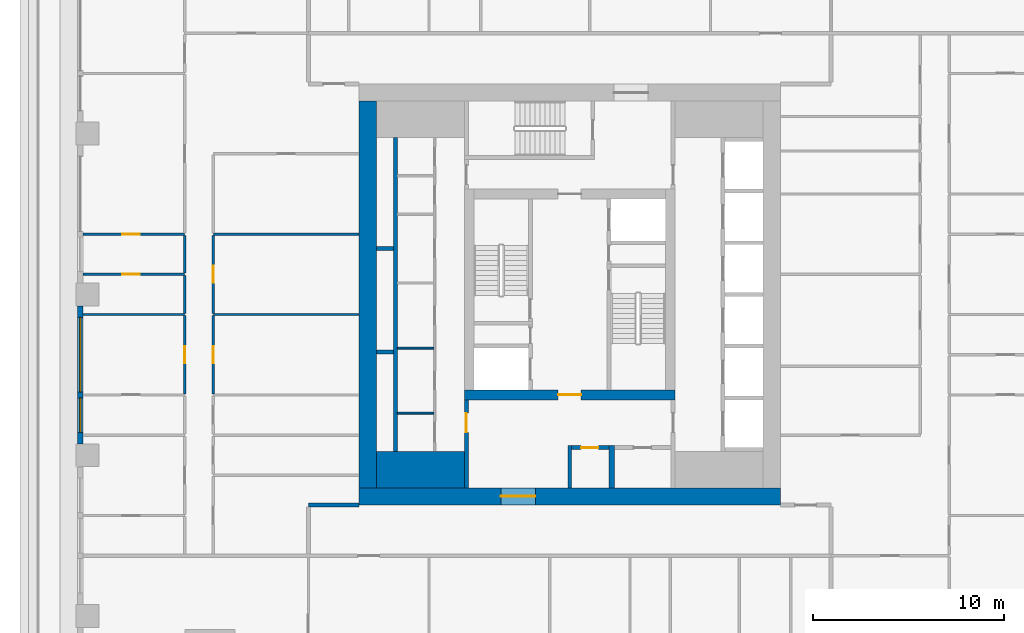
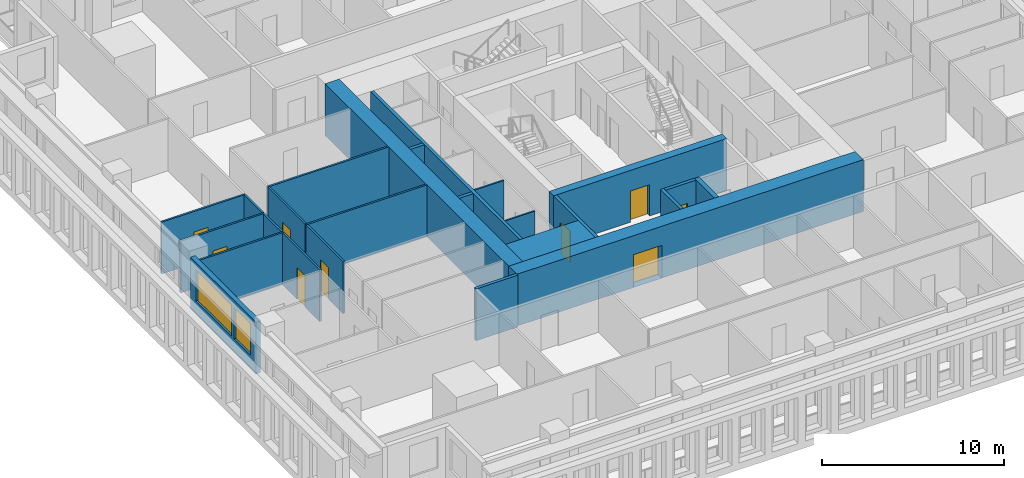
# One storey, part 3 of 16: 25 walls, 9 doors, 2 windows, 11 openings.
"""IFC4 building model written with IfcOpenShell, lengths in metres."""

import ifcopenshell
import ifcopenshell.guid

model = None  # the IFC model being written
_history = None  # IfcOwnerHistory: only IFC2X3 demands one
_inside = {}  # id of a spatial element -> (the spatial element, [elements in it])
_under = {}  # id of a project, library or spatial element -> (it, [spatial elements below it])
_declared = {}  # id of a project -> (the project, [libraries it declares])
_typed = {}  # id of a type object -> (the type object, [elements of that type])
_made_of = {}  # id of a material, layer set ... -> (it, [elements and type objects made of it])


def new_model(schema):
    """Start an empty IFC model of exactly this schema.

    Asked for "IFC4X3", IfcOpenShell would pick the latest addendum, in which some entities
    have other attributes; the version numbers below select the first issue.
    IFC2X3 requires an IfcOwnerHistory on every rooted entity: one is made here for all.
    """
    global model, _history
    if schema == "IFC4X3":
        model = ifcopenshell.file(schema_version=(4, 3, 0, 0))
    else:
        model = ifcopenshell.file(schema=schema)
    _inside.clear()
    _under.clear()
    _declared.clear()
    _typed.clear()
    _made_of.clear()
    _history = None
    if model.schema == "IFC2X3":
        org = make("IfcOrganization", Name="unknown")
        user = make(
            "IfcPersonAndOrganization",
            ThePerson=make("IfcPerson", FamilyName="unknown"),
            TheOrganization=org,
        )
        app = make(
            "IfcApplication",
            ApplicationDeveloper=org,
            Version="unknown",
            ApplicationFullName="unknown",
            ApplicationIdentifier="unknown",
        )
        _history = make(
            "IfcOwnerHistory",
            OwningUser=user,
            OwningApplication=app,
            ChangeAction="ADDED",
            CreationDate=0,
        )
    return model


def make(cls, **values):
    """One entity of the class cls with the attributes given. An attribute that is None is left unset."""
    return model.create_entity(
        cls, **{name: value for name, value in values.items() if value is not None}
    )


def rooted(cls, **values):
    """An entity with a GlobalId (a new one), such as an element, a storey or a relation."""
    return make(cls, GlobalId=ifcopenshell.guid.new(), OwnerHistory=_history, **values)


def si_unit(unit_type, name, prefix=None):
    """IfcSIUnit, for example si_unit("LENGTHUNIT", "METRE", prefix="MILLI")."""
    return make("IfcSIUnit", UnitType=unit_type, Prefix=prefix, Name=name)


def assignment(units):
    """IfcUnitAssignment: the units of a project."""
    return None if units is None else make("IfcUnitAssignment", Units=units)


def point(xyz):
    """IfcCartesianPoint."""
    return None if xyz is None else make("IfcCartesianPoint", Coordinates=xyz)


def direction(xyz):
    """IfcDirection."""
    return None if xyz is None else make("IfcDirection", DirectionRatios=xyz)


def frame(location, z_axis=None, x_axis=None):
    """IfcAxis2Placement3D, a coordinate frame: its origin and axes. An axis left out is left unset."""
    return make(
        "IfcAxis2Placement3D",
        Location=point(location),
        Axis=direction(z_axis),
        RefDirection=direction(x_axis),
    )


def frame_2d(location, x_axis=None):
    """IfcAxis2Placement2D, a coordinate frame in the plane: its origin and x axis."""
    return make(
        "IfcAxis2Placement2D", Location=point(location), RefDirection=direction(x_axis)
    )


def origin():
    """The frame at (0, 0, 0) with its axes left unset."""
    return frame((0.0, 0.0, 0.0))


def place(relative_to, where):
    """IfcLocalPlacement: puts the frame where relative to a parent placement (None: the world)."""
    return make(
        "IfcLocalPlacement", PlacementRelTo=relative_to, RelativePlacement=where
    )


def context(
    kind, dimensions, precision=None, world=None, true_north=None, identifier=None
):
    """IfcGeometricRepresentationContext, for example the 3D "Model" context."""
    return make(
        "IfcGeometricRepresentationContext",
        ContextIdentifier=identifier,
        ContextType=kind,
        CoordinateSpaceDimension=dimensions,
        Precision=precision,
        WorldCoordinateSystem=world,
        TrueNorth=true_north,
    )


def subcontext(parent, identifier, kind, view, scale=None):
    """IfcGeometricRepresentationSubContext, for example "Body" below "Model"."""
    return make(
        "IfcGeometricRepresentationSubContext",
        ContextIdentifier=identifier,
        ContextType=kind,
        ParentContext=parent,
        TargetScale=scale,
        TargetView=view,
    )


def project(units=None, contexts=None):
    """IfcProject with its units and contexts."""
    return rooted(
        "IfcProject",
        Name="project",
        RepresentationContexts=contexts,
        UnitsInContext=assignment(units),
    )


def spatial(cls, under=None, at=None, **own):
    """A site, building, storey or space (cls), placed at a placement, below another one or the project."""
    s = rooted(cls, ObjectPlacement=at, **own)
    if under is not None:
        _under.setdefault(under.id(), (under, []))[1].append(s)
    return s


def profile(cls, at=None, kind="AREA", **sizes):
    """A parametric profile (cls). Its sizes go by their IFC names, for example OverallWidth=200.0."""
    return make(cls, ProfileType=kind, Position=at, **sizes)


def rectangle(**sizes):
    """IfcRectangleProfileDef."""
    return profile("IfcRectangleProfileDef", **sizes)


def extrude(swept, where, along, depth):
    """IfcExtrudedAreaSolid: the profile swept, set in the frame where, extruded along a direction by depth."""
    return make(
        "IfcExtrudedAreaSolid",
        SweptArea=swept,
        Position=where,
        ExtrudedDirection=direction(along),
        Depth=depth,
    )


def shape(context_of_items, identifier, shape_type, items):
    """IfcShapeRepresentation: the items that make up one representation, for example the "Body"."""
    return make(
        "IfcShapeRepresentation",
        ContextOfItems=context_of_items,
        RepresentationIdentifier=identifier,
        RepresentationType=shape_type,
        Items=items,
    )


def material(Name=None, Category=None):
    """IfcMaterial."""
    return make("IfcMaterial", Name=Name, Category=Category)


def layer(
    of_material, thickness, ventilated=None, Name=None, Category=None, Priority=None
):
    """IfcMaterialLayer: one layer of a wall or slab, of a material (None: an air gap)."""
    return make(
        "IfcMaterialLayer",
        Material=of_material,
        LayerThickness=thickness,
        IsVentilated=ventilated,
        Name=Name,
        Category=Category,
        Priority=Priority,
    )


def layer_set(layers, Name=None):
    """IfcMaterialLayerSet."""
    return make("IfcMaterialLayerSet", MaterialLayers=layers, LayerSetName=Name)


def made_of(thing, what):
    """Note that an element or type object is made of a material, layer set ...; save() writes the relation."""
    if what is not None:
        _made_of.setdefault(what.id(), (what, []))[1].append(thing)
    return thing


def type_object(cls, material=None, **own):
    """A type object (cls), such as IfcWallType, which elements share."""
    return made_of(rooted(cls, **own), material)


def element(
    cls,
    number,
    at=None,
    inside=None,
    cuts=None,
    type_object=None,
    material=None,
    context=None,
    identifier="Body",
    shape_type=None,
    held_by="IfcProductDefinitionShape",
    body=None,
    shapes=None,
    **own,
):
    """One element of the class cls, such as IfcWall. Its Tag is "e" and its number.

    at: its placement. inside: the storey or other place that contains it. cuts: it is an
    opening in that element (IfcRelVoidsElement). A single representation is given by context,
    identifier, shape_type and body (its items); several are given by shapes. held_by: the class
    of the entity that holds the representations. save() writes the other relations.
    """
    e = rooted(cls, Tag="e%d" % number, ObjectPlacement=at, **own)
    if body is not None:
        shapes = [shape(context, identifier, shape_type, body)]
    if shapes is not None:
        e.Representation = make(held_by, Representations=shapes)
    if inside is not None:
        _inside.setdefault(inside.id(), (inside, []))[1].append(e)
    if cuts is not None:
        rooted(
            "IfcRelVoidsElement", RelatingBuildingElement=cuts, RelatedOpeningElement=e
        )
    if type_object is not None:
        _typed.setdefault(type_object.id(), (type_object, []))[1].append(e)
    return made_of(e, material)


def fill(opening, filler):
    """IfcRelFillsElement: the door or window that sits in an opening."""
    return rooted(
        "IfcRelFillsElement",
        RelatingOpeningElement=opening,
        RelatedBuildingElement=filler,
    )


def aggregate(whole, parts):
    """IfcRelAggregates: a whole, such as a stair, and the parts it consists of."""
    return rooted("IfcRelAggregates", RelatingObject=whole, RelatedObjects=parts)


def save(model, path):
    """Write the relations noted so far, then the file.

    IfcRelAggregates (storeys below a building ...), IfcRelContainedInSpatialStructure (elements
    in a storey), IfcRelDefinesByType, IfcRelAssociatesMaterial and IfcRelDeclares: one each for
    every whole, place, type object, material and project.
    """
    for whole, parts in _under.values():
        aggregate(whole, parts)
    for where, things in _inside.values():
        rooted(
            "IfcRelContainedInSpatialStructure",
            RelatedElements=things,
            RelatingStructure=where,
        )
    for kind, things in _typed.values():
        rooted("IfcRelDefinesByType", RelatedObjects=things, RelatingType=kind)
    for what, things in _made_of.values():
        rooted("IfcRelAssociatesMaterial", RelatedObjects=things, RelatingMaterial=what)
    for by, libraries in _declared.values():
        rooted("IfcRelDeclares", RelatingContext=by, RelatedDefinitions=libraries)
    model.write(path)


model = new_model("IFC4")

# Units and contexts
model_context = context("Model", 3, precision=1e-05, world=origin(), true_north=direction((0.0, 1.0)))
body_context = subcontext(model_context, "Body", "Model", "MODEL_VIEW")
ifc_project = project(units=[si_unit("LENGTHUNIT", "METRE"), si_unit("AREAUNIT", "SQUARE_METRE"), si_unit("VOLUMEUNIT", "CUBIC_METRE"), si_unit("PLANEANGLEUNIT", "RADIAN"), si_unit("MASSUNIT", "GRAM", prefix="KILO")], contexts=[model_context])

# Site, building, storey
site_placement = place(None, origin())
site = spatial("IfcSite", under=ifc_project, at=site_placement, CompositionType="ELEMENT")
building_placement = place(site_placement, origin())
building = spatial("IfcBuilding", under=site, at=building_placement, Name="Khepri Terraces", CompositionType="ELEMENT")
storey_placement = place(building_placement, frame((0.0, 0.0, 153.300048828125)))
storey = spatial("IfcBuildingStorey", under=building, at=storey_placement, Name="L36", CompositionType="ELEMENT", Elevation=153.300048828125)

# Walls
ifc_material_1 = material(Name="Concrete C60/75", Category="concrete")
ifc_layer_1 = layer(ifc_material_1, 1.89990234375, Name="Concrete C60/75", Category="concrete")
ifc_layer_set_1 = layer_set([ifc_layer_1], Name="Concrete C60/75")
wall_type_1 = type_object("IfcWallType", Name="Core wall 1900 C60/75", PredefinedType="SHEAR", material=ifc_layer_set_1)
wall_1_placement = place(storey_placement, frame((-10.10009765625, -9.14990234375, 0.0), z_axis=(0.0, 0.0, 1.0), x_axis=(1.0, 0.0, 0.0)))
element("IfcWall", 1, at=wall_1_placement, inside=storey, type_object=wall_type_1, Name="Core wall PR01 L36", PredefinedType="SHEAR", context=body_context, shape_type="SweptSolid", body=[
    extrude(rectangle(XDim=4.60009765625, YDim=1.89990234375, at=frame_2d((2.300048828125, 0.0))), origin(), (0.0, 0.0, 1.0), 3.47998046875),
])
ifc_layer_2 = layer(ifc_material_1, 0.199951171875, Name="Concrete C60/75", Category="concrete")
ifc_layer_set_2 = layer_set([ifc_layer_2], Name="Concrete C60/75")
wall_type_2 = type_object("IfcWallType", Name="Core wall 200 C60/75", PredefinedType="SHEAR", material=ifc_layer_set_2)
wall_2_placement = place(storey_placement, frame((-9.10009765625, -8.199951171875, 0.0), z_axis=(0.0, 0.0, 1.0), x_axis=(0.0, 1.0, 0.0)))
element("IfcWall", 2, at=wall_2_placement, inside=storey, type_object=wall_type_2, Name="Core wall SH01 L36", PredefinedType="SHEAR", context=body_context, shape_type="SweptSolid", body=[
    extrude(rectangle(XDim=16.39990234375, YDim=0.199951171875, at=frame_2d((8.199951171875, 0.0))), origin(), (0.0, 0.0, 1.0), 3.47998046875),
])
for number, where, z_axis, x_axis, name in (
    (3, (-10.10009765625, -3.0, 0.0), (0.0, 0.0, 1.0), (1.0, 0.0, 0.0), "Core wall SH06 L36"),
    (4, (-10.10009765625, 2.39990234375, 0.0), (0.0, 0.0, 1.0), (1.0, 0.0, 0.0), "Core wall SH11 L36"),
):
    element("IfcWall", number, at=place(storey_placement, frame(where, z_axis=z_axis, x_axis=x_axis)), inside=storey, type_object=wall_type_2, Name=name, PredefinedType="SHEAR", context=body_context, shape_type="SweptSolid", body=[
        extrude(rectangle(XDim=0.900146484375, YDim=0.199951171875, at=frame_2d((0.4501953125, 0.0))), origin(), (0.0, 0.0, 1.0), 3.47998046875),
    ])

# Wall, opening, door
ifc_layer_3 = layer(ifc_material_1, 0.5, Name="Concrete C60/75", Category="concrete")
ifc_layer_set_3 = layer_set([ifc_layer_3], Name="Concrete C60/75")
wall_type_3 = type_object("IfcWallType", Name="Core wall 500 C60/75", PredefinedType="SHEAR", material=ifc_layer_set_3)
wall_3_placement = place(storey_placement, frame((-5.5, -5.25, 0.0), z_axis=(0.0, 0.0, 1.0), x_axis=(1.0, 0.0, 0.0)))
wall_3 = element("IfcWall", 5, at=wall_3_placement, inside=storey, type_object=wall_type_3, Name="Core wall BX01 L36", PredefinedType="SHEAR", context=body_context, shape_type="SweptSolid", body=[
    extrude(rectangle(XDim=11.0, YDim=0.5, at=frame_2d((5.5, 0.0))), origin(), (0.0, 0.0, 1.0), 3.47998046875),
])
opening_1_placement = place(wall_3_placement, frame((4.89990234375, 0.0, 0.0)))
opening_1 = element("IfcOpeningElement", 6, at=opening_1_placement, cuts=wall_3, Name="Opening L36-C14", PredefinedType="OPENING", context=body_context, shape_type="SweptSolid", body=[
    extrude(rectangle(XDim=1.199951171875, YDim=2.10009765625, at=frame_2d((0.60009765625, 1.050048828125))), frame((0.0, 0.260009765625, 0.0), z_axis=(0.0, -1.0, 0.0), x_axis=(1.0, 0.0, 0.0)), (0.0, 0.0, 1.0), 0.52001953125),
])
ifc_material_2 = material(Name="Painted steel", Category="steel")
door_type_1 = type_object("IfcDoorType", Name="DR-CORE-FF-LOBBY-1200", OperationType="NOTDEFINED", PredefinedType="DOOR", material=ifc_material_2)
door_1_placement = place(opening_1_placement, origin())
door_1 = element("IfcDoor", 7, at=door_1_placement, inside=storey, type_object=door_type_1, Name="Firefighting lobby door L36-C14", OperationType="SINGLE_SWING_RIGHT", OverallHeight=2.10009765625, OverallWidth=1.199951171875, PredefinedType="DOOR", context=body_context, shape_type="SweptSolid", body=[
    extrude(rectangle(XDim=1.199951171875, YDim=2.10009765625, at=frame_2d((0.60009765625, 1.050048828125))), frame((0.0, 0.02490234375, 0.0), z_axis=(0.0, -1.0, 0.0), x_axis=(1.0, 0.0, 0.0)), (0.0, 0.0, 1.0), 0.050048828125),
])
fill(opening_1, door_1)

ifc_layer_4 = layer(ifc_material_1, 0.89990234375, Name="Concrete C60/75", Category="concrete")
ifc_layer_set_4 = layer_set([ifc_layer_4], Name="Concrete C60/75")
wall_type_4 = type_object("IfcWallType", Name="Core wall 900 C60/75", PredefinedType="SHEAR", material=ifc_layer_set_4)
wall_4_placement = place(storey_placement, frame((-11.0, -10.550048828125, 0.0), z_axis=(0.0, 0.0, 1.0), x_axis=(1.0, 0.0, 0.0)))
wall_4 = element("IfcWall", 8, at=wall_4_placement, inside=storey, type_object=wall_type_4, Name="Core wall OW-S L36", PredefinedType="SHEAR", context=body_context, shape_type="SweptSolid", body=[
    extrude(rectangle(XDim=22.0, YDim=0.89990234375, at=frame_2d((11.0, 0.0))), origin(), (0.0, 0.0, 1.0), 3.47998046875),
])
opening_2_placement = place(wall_4_placement, frame((7.39990234375, 0.0, 0.0)))
opening_2 = element("IfcOpeningElement", 9, at=opening_2_placement, cuts=wall_4, Name="Opening L36-C21", PredefinedType="OPENING", context=body_context, shape_type="SweptSolid", body=[
    extrude(rectangle(XDim=1.800048828125, YDim=2.199951171875, at=frame_2d((0.89990234375, 1.10009765625))), frame((0.0, 0.4599609375, 0.0), z_axis=(0.0, -1.0, 0.0), x_axis=(1.0, 0.0, 0.0)), (0.0, 0.0, 1.0), 0.919921875),
])
door_type_2 = type_object("IfcDoorType", Name="DR-CORE-ENTRANCE-1800", OperationType="NOTDEFINED", PredefinedType="DOOR", material=ifc_material_2)
door_2_placement = place(opening_2_placement, frame((1.800048828125, 0.0, 0.0), z_axis=(0.0, 0.0, 1.0), x_axis=(-1.0, 0.0, 0.0)))
door_2 = element("IfcDoor", 10, at=door_2_placement, inside=storey, type_object=door_type_2, Name="Core entrance door pair L36-C21", OperationType="DOUBLE_DOOR_SINGLE_SWING", OverallHeight=2.199951171875, OverallWidth=1.800048828125, PredefinedType="DOOR", context=body_context, shape_type="SweptSolid", body=[
    extrude(rectangle(XDim=1.800048828125, YDim=2.199951171875, at=frame_2d((0.89990234375, 1.10009765625))), frame((0.0, 0.02490234375, 0.0), z_axis=(0.0, -1.0, 0.0), x_axis=(1.0, 0.0, 0.0)), (0.0, 0.0, 1.0), 0.050048828125),
])
fill(opening_2, door_2)

# Walls
wall_5_placement = place(storey_placement, frame((-10.550048828125, -10.10009765625, 0.0), z_axis=(0.0, 0.0, 1.0), x_axis=(0.0, 1.0, 0.0)))
element("IfcWall", 11, at=wall_5_placement, inside=storey, type_object=wall_type_4, Name="Core wall OW-W L36", PredefinedType="SHEAR", context=body_context, shape_type="SweptSolid", body=[
    extrude(rectangle(XDim=20.2001953125, YDim=0.89990234375, at=frame_2d((10.10009765625, 0.0))), origin(), (0.0, 0.0, 1.0), 3.47998046875),
])
ifc_material_3 = material(Name="Fire-rated gypsum board partition")
ifc_layer_5 = layer(ifc_material_3, 0.10009765625, Name="Fire-rated gypsum board partition")
ifc_layer_set_5 = layer_set([ifc_layer_5], Name="Fire-rated gypsum board partition")
wall_type_5 = type_object("IfcWallType", Name="WL-CORE-PART-100", PredefinedType="PARTITIONING", material=ifc_layer_set_5)
for number, where, z_axis, x_axis, name in (
    (12, (-9.0, -6.199951171875, 0.0), (0.0, 0.0, 1.0), (1.0, 0.0, 0.0), "Core partition PT08 L36"),
    (13, (-9.0, -2.800048828125, 0.0), (0.0, 0.0, 1.0), (1.0, 0.0, 0.0), "Core partition PT09 L36"),
):
    element("IfcWall", number, at=place(storey_placement, frame(where, z_axis=z_axis, x_axis=x_axis)), inside=storey, type_object=wall_type_5, Name=name, PredefinedType="PARTITIONING", context=body_context, shape_type="SweptSolid", body=[
        extrude(rectangle(XDim=1.89990234375, YDim=0.10009765625, at=frame_2d((0.949951171875, 0.0))), origin(), (0.0, 0.0, 1.0), 3.47998046875),
    ])

# Wall, opening, door
ifc_layer_6 = layer(ifc_material_3, 0.199951171875, Name="Fire-rated gypsum board partition")
ifc_layer_set_6 = layer_set([ifc_layer_6], Name="Fire-rated gypsum board partition")
wall_type_6 = type_object("IfcWallType", Name="WL-CORE-PART-200", PredefinedType="PARTITIONING", material=ifc_layer_set_6)
wall_6_placement = place(storey_placement, frame((-5.39990234375, -10.10009765625, 0.0), z_axis=(0.0, 0.0, 1.0), x_axis=(0.0, 1.0, 0.0)))
wall_6 = element("IfcWall", 14, at=wall_6_placement, inside=storey, type_object=wall_type_6, Name="Core partition PT01 L36", PredefinedType="PARTITIONING", context=body_context, shape_type="SweptSolid", body=[
    extrude(rectangle(XDim=4.60009765625, YDim=0.199951171875, at=frame_2d((2.300048828125, 0.0))), origin(), (0.0, 0.0, 1.0), 3.47998046875),
])
opening_3_placement = place(wall_6_placement, frame((2.89990234375, 0.0, 0.0)))
opening_3 = element("IfcOpeningElement", 15, at=opening_3_placement, cuts=wall_6, Name="Opening L36-C18", PredefinedType="OPENING", context=body_context, shape_type="SweptSolid", body=[
    extrude(rectangle(XDim=1.0, YDim=2.10009765625, at=frame_2d((0.5, 1.050048828125))), frame((0.0, 0.10986328125, 0.0), z_axis=(0.0, -1.0, 0.0), x_axis=(1.0, 0.0, 0.0)), (0.0, 0.0, 1.0), 0.219970703125),
])
door_type_3 = type_object("IfcDoorType", Name="DR-CORE-LOBBY-1000", OperationType="NOTDEFINED", PredefinedType="DOOR", material=ifc_material_2)
door_3_placement = place(opening_3_placement, frame((1.0, 0.0, 0.0), z_axis=(0.0, 0.0, 1.0), x_axis=(-1.0, 0.0, 0.0)))
door_3 = element("IfcDoor", 16, at=door_3_placement, inside=storey, type_object=door_type_3, Name="Lobby door L36-C18", OperationType="SINGLE_SWING_LEFT", OverallHeight=2.10009765625, OverallWidth=1.0, PredefinedType="DOOR", context=body_context, shape_type="SweptSolid", body=[
    extrude(rectangle(XDim=1.0, YDim=2.10009765625, at=frame_2d((0.5, 1.050048828125))), frame((0.0, 0.02490234375, 0.0), z_axis=(0.0, -1.0, 0.0), x_axis=(1.0, 0.0, 0.0)), (0.0, 0.0, 1.0), 0.050048828125),
])
fill(opening_3, door_3)

# Wall
wall_7_placement = place(storey_placement, frame((0.0, -10.10009765625, 0.0), z_axis=(0.0, 0.0, 1.0), x_axis=(0.0, 1.0, 0.0)))
element("IfcWall", 17, at=wall_7_placement, inside=storey, type_object=wall_type_6, Name="Core partition PT02 L36", PredefinedType="PARTITIONING", context=body_context, shape_type="SweptSolid", body=[
    extrude(rectangle(XDim=2.2001953125, YDim=0.199951171875, at=frame_2d((1.10009765625, 0.0))), origin(), (0.0, 0.0, 1.0), 3.47998046875),
])

# Wall, opening, door
wall_8_placement = place(storey_placement, frame((0.10009765625, -8.0, 0.0), z_axis=(0.0, 0.0, 1.0), x_axis=(1.0, 0.0, 0.0)))
wall_8 = element("IfcWall", 18, at=wall_8_placement, inside=storey, type_object=wall_type_6, Name="Core partition PT06 L36", PredefinedType="PARTITIONING", context=body_context, shape_type="SweptSolid", body=[
    extrude(rectangle(XDim=1.949951171875, YDim=0.199951171875, at=frame_2d((0.97509765625, 0.0))), origin(), (0.0, 0.0, 1.0), 3.47998046875),
])
opening_4_placement = place(wall_8_placement, frame((0.5, 0.0, 0.0)))
opening_4 = element("IfcOpeningElement", 19, at=opening_4_placement, cuts=wall_8, Name="Opening L36-C22", PredefinedType="OPENING", context=body_context, shape_type="SweptSolid", body=[
    extrude(rectangle(XDim=0.89990234375, YDim=2.10009765625, at=frame_2d((0.449951171875, 1.050048828125))), frame((0.0, 0.10986328125, 0.0), z_axis=(0.0, -1.0, 0.0), x_axis=(1.0, 0.0, 0.0)), (0.0, 0.0, 1.0), 0.219970703125),
])
door_type_4 = type_object("IfcDoorType", Name="DR-CORE-SERVICE-900", OperationType="NOTDEFINED", PredefinedType="DOOR", material=ifc_material_2)
door_4_placement = place(opening_4_placement, frame((0.89990234375, 0.0, 0.0), z_axis=(0.0, 0.0, 1.0), x_axis=(-1.0, 0.0, 0.0)))
door_4 = element("IfcDoor", 20, at=door_4_placement, inside=storey, type_object=door_type_4, Name="Service room door L36-C22", OperationType="SINGLE_SWING_RIGHT", OverallHeight=2.10009765625, OverallWidth=0.89990234375, PredefinedType="DOOR", context=body_context, shape_type="SweptSolid", body=[
    extrude(rectangle(XDim=0.89990234375, YDim=2.10009765625, at=frame_2d((0.449951171875, 1.050048828125))), frame((0.0, 0.02490234375, 0.0), z_axis=(0.0, -1.0, 0.0), x_axis=(1.0, 0.0, 0.0)), (0.0, 0.0, 1.0), 0.050048828125),
])
fill(opening_4, door_4)

# Walls
ifc_layer_7 = layer(ifc_material_3, 0.300048828125, Name="Fire-rated gypsum board partition")
ifc_layer_set_7 = layer_set([ifc_layer_7], Name="Fire-rated gypsum board partition")
wall_type_7 = type_object("IfcWallType", Name="WL-CORE-PART-300", PredefinedType="PARTITIONING", material=ifc_layer_set_7)
wall_9_placement = place(storey_placement, frame((2.199951171875, -10.10009765625, 0.0), z_axis=(0.0, 0.0, 1.0), x_axis=(0.0, 1.0, 0.0)))
element("IfcWall", 21, at=wall_9_placement, inside=storey, type_object=wall_type_7, Name="Core partition PT03 L36", PredefinedType="PARTITIONING", context=body_context, shape_type="SweptSolid", body=[
    extrude(rectangle(XDim=2.2001953125, YDim=0.300048828125, at=frame_2d((1.10009765625, 0.0))), origin(), (0.0, 0.0, 1.0), 3.47998046875),
])
ifc_material_4 = material(Name="Fire-rated gypsum plasterboard partition, mineral wool")
ifc_layer_8 = layer(ifc_material_4, 0.199951171875, Name="Fire-rated gypsum plasterboard partition, mineral wool")
ifc_layer_set_8 = layer_set([ifc_layer_8], Name="Fire-rated gypsum plasterboard partition, mineral wool")
wall_type_8 = type_object("IfcWallType", Name="WL-CORR-200", PredefinedType="PARTITIONING", material=ifc_layer_set_8)
wall_10_placement = place(storey_placement, frame((-13.64990234375, -11.0, 0.0), z_axis=(0.0, 0.0, 1.0), x_axis=(1.0, 0.0, 0.0)))
element("IfcWall", 22, at=wall_10_placement, inside=storey, type_object=wall_type_8, Name="Partition P-030 L36", PredefinedType="PARTITIONING", context=body_context, shape_type="SweptSolid", body=[
    extrude(rectangle(XDim=2.64990234375, YDim=0.199951171875, at=frame_2d((1.324951171875, 0.0))), origin(), (0.0, 0.0, 1.0), 3.47998046875),
])

# Wall, openings, windows
ifc_material_5 = material(Name="Precast concrete C50/60 warm stone", Category="masonry")
ifc_layer_9 = layer(ifc_material_5, 0.300048828125, Name="Precast concrete C50/60 warm stone", Category="masonry")
ifc_layer_set_9 = layer_set([ifc_layer_9], Name="Precast concrete C50/60 warm stone")
wall_type_9 = type_object("IfcWallType", Name="WL-EXT-PRECAST-300", PredefinedType="STANDARD", material=ifc_layer_set_9)
wall_11_placement = place(storey_placement, frame((-25.570068359375, -0.60009765625, 0.0), z_axis=(0.0, 0.0, 1.0), x_axis=(0.0, -1.0, 0.0)))
wall_11 = element("IfcWall", 23, at=wall_11_placement, inside=storey, type_object=wall_type_9, Name="External wall L36 W", PredefinedType="STANDARD", context=body_context, shape_type="SweptSolid", body=[
    extrude(rectangle(XDim=7.199951171875, YDim=0.300048828125, at=frame_2d((3.60009765625, 0.0))), origin(), (0.0, 0.0, 1.0), 3.47998046875),
])
opening_5_placement = place(wall_11_placement, frame((0.60009765625, 0.0, 0.89990234375)))
opening_5 = element("IfcOpeningElement", 24, at=opening_5_placement, cuts=wall_11, Name="Opening W2", PredefinedType="OPENING", context=body_context, shape_type="SweptSolid", body=[
    extrude(rectangle(XDim=3.89990234375, YDim=2.10009765625, at=frame_2d((1.949951171875, 1.050048828125))), frame((0.0, 0.16015625, 0.0), z_axis=(0.0, -1.0, 0.0), x_axis=(1.0, 0.0, 0.0)), (0.0, 0.0, 1.0), 0.320068359375),
])
opening_6_placement = place(wall_11_placement, frame((4.800048828125, 0.0, 0.89990234375)))
opening_6 = element("IfcOpeningElement", 25, at=opening_6_placement, cuts=wall_11, Name="Opening W1", PredefinedType="OPENING", context=body_context, shape_type="SweptSolid", body=[
    extrude(rectangle(XDim=1.800048828125, YDim=2.10009765625, at=frame_2d((0.89990234375, 1.050048828125))), frame((0.0, 0.16015625, 0.0), z_axis=(0.0, -1.0, 0.0), x_axis=(1.0, 0.0, 0.0)), (0.0, 0.0, 1.0), 0.320068359375),
])
ifc_material_6 = material(Name="Clear glass", Category="glass")
window_type_1 = type_object("IfcWindowType", Name="WIN-RES-1800x2100", PartitioningType="SINGLE_PANEL", PredefinedType="WINDOW", material=ifc_material_6)
window_1_placement = place(opening_6_placement, origin())
window_1 = element("IfcWindow", 26, at=window_1_placement, inside=storey, type_object=window_type_1, Name="Window L36 W", OverallHeight=2.10009765625, OverallWidth=1.800048828125, PartitioningType="SINGLE_PANEL", PredefinedType="WINDOW", context=body_context, shape_type="SweptSolid", body=[
    extrude(rectangle(XDim=1.800048828125, YDim=2.10009765625, at=frame_2d((0.89990234375, 1.050048828125))), frame((0.0, 0.030029296875, 0.0), z_axis=(0.0, -1.0, 0.0), x_axis=(1.0, 0.0, 0.0)), (0.0, 0.0, 1.0), 0.06005859375),
])
fill(opening_6, window_1)
window_type_2 = type_object("IfcWindowType", Name="WIN-RES-3900x2100", PartitioningType="SINGLE_PANEL", PredefinedType="WINDOW", material=ifc_material_6)
window_2_placement = place(opening_5_placement, origin())
window_2 = element("IfcWindow", 27, at=window_2_placement, inside=storey, type_object=window_type_2, Name="Window L36 W", OverallHeight=2.10009765625, OverallWidth=3.89990234375, PartitioningType="SINGLE_PANEL", PredefinedType="WINDOW", context=body_context, shape_type="SweptSolid", body=[
    extrude(rectangle(XDim=3.89990234375, YDim=2.10009765625, at=frame_2d((1.949951171875, 1.050048828125))), frame((0.0, 0.030029296875, 0.0), z_axis=(0.0, -1.0, 0.0), x_axis=(1.0, 0.0, 0.0)), (0.0, 0.0, 1.0), 0.06005859375),
])
fill(opening_5, window_2)

# Wall, opening, door
ifc_material_7 = material(Name="Gypsum plasterboard partition")
ifc_layer_10 = layer(ifc_material_7, 0.1201171875, Name="Gypsum plasterboard partition")
ifc_layer_set_10 = layer_set([ifc_layer_10], Name="Gypsum plasterboard partition")
wall_type_10 = type_object("IfcWallType", Name="WL-PART-120", PredefinedType="PARTITIONING", material=ifc_layer_set_10)
wall_12_placement = place(storey_placement, frame((-20.1201171875, -5.18994140625, 0.0), z_axis=(0.0, 0.0, 1.0), x_axis=(0.0, 1.0, 0.0)))
wall_12 = element("IfcWall", 28, at=wall_12_placement, inside=storey, type_object=wall_type_10, Name="Partition P-043 L36", PredefinedType="PARTITIONING", context=body_context, shape_type="SweptSolid", body=[
    extrude(rectangle(XDim=4.079833984375, YDim=0.1201171875, at=frame_2d((2.0400390625, 0.0))), origin(), (0.0, 0.0, 1.0), 3.47998046875),
])
opening_7_placement = place(wall_12_placement, frame((1.590087890625, 0.0, 0.0)))
opening_7 = element("IfcOpeningElement", 29, at=opening_7_placement, cuts=wall_12, Name="Opening D3", PredefinedType="OPENING", context=body_context, shape_type="SweptSolid", body=[
    extrude(rectangle(XDim=0.89990234375, YDim=2.10009765625, at=frame_2d((0.449951171875, 1.050048828125))), frame((0.0, 0.070068359375, 0.0), z_axis=(0.0, -1.0, 0.0), x_axis=(1.0, 0.0, 0.0)), (0.0, 0.0, 1.0), 0.14013671875),
])
ifc_material_8 = material(Name="Timber door leaf", Category="wood")
door_type_5 = type_object("IfcDoorType", Name="DR-INT-900", OperationType="NOTDEFINED", PredefinedType="DOOR", material=ifc_material_8)
door_5_placement = place(opening_7_placement, origin())
door_5 = element("IfcDoor", 30, at=door_5_placement, inside=storey, type_object=door_type_5, Name="Door Bedroom", OperationType="SINGLE_SWING_RIGHT", OverallHeight=2.10009765625, OverallWidth=0.89990234375, PredefinedType="DOOR", context=body_context, shape_type="SweptSolid", body=[
    extrude(rectangle(XDim=0.89990234375, YDim=2.10009765625, at=frame_2d((0.449951171875, 1.050048828125))), frame((0.0, 0.02490234375, 0.0), z_axis=(0.0, -1.0, 0.0), x_axis=(1.0, 0.0, 0.0)), (0.0, 0.0, 1.0), 0.050048828125),
])
fill(opening_7, door_5)

wall_13_placement = place(storey_placement, frame((-18.6201171875, -5.18994140625, 0.0), z_axis=(0.0, 0.0, 1.0), x_axis=(0.0, 1.0, 0.0)))
wall_13 = element("IfcWall", 31, at=wall_13_placement, inside=storey, type_object=wall_type_10, Name="Partition P-044 L36", PredefinedType="PARTITIONING", context=body_context, shape_type="SweptSolid", body=[
    extrude(rectangle(XDim=4.079833984375, YDim=0.1201171875, at=frame_2d((2.0400390625, 0.0))), origin(), (0.0, 0.0, 1.0), 3.47998046875),
])
opening_8_placement = place(wall_13_placement, frame((1.590087890625, 0.0, 0.0)))
opening_8 = element("IfcOpeningElement", 32, at=opening_8_placement, cuts=wall_13, Name="Opening D3", PredefinedType="OPENING", context=body_context, shape_type="SweptSolid", body=[
    extrude(rectangle(XDim=0.89990234375, YDim=2.10009765625, at=frame_2d((0.449951171875, 1.050048828125))), frame((0.0, 0.070068359375, 0.0), z_axis=(0.0, -1.0, 0.0), x_axis=(1.0, 0.0, 0.0)), (0.0, 0.0, 1.0), 0.14013671875),
])
door_6_placement = place(opening_8_placement, frame((0.89990234375, 0.0, 0.0), z_axis=(0.0, 0.0, 1.0), x_axis=(-1.0, 0.0, 0.0)))
door_6 = element("IfcDoor", 33, at=door_6_placement, inside=storey, type_object=door_type_5, Name="Door Staff Bedroom", OperationType="SINGLE_SWING_LEFT", OverallHeight=2.10009765625, OverallWidth=0.89990234375, PredefinedType="DOOR", context=body_context, shape_type="SweptSolid", body=[
    extrude(rectangle(XDim=0.89990234375, YDim=2.10009765625, at=frame_2d((0.449951171875, 1.050048828125))), frame((0.0, 0.02490234375, 0.0), z_axis=(0.0, -1.0, 0.0), x_axis=(1.0, 0.0, 0.0)), (0.0, 0.0, 1.0), 0.050048828125),
])
fill(opening_8, door_6)

# Walls
wall_14_placement = place(storey_placement, frame((-25.419921875, -1.050048828125, 0.0), z_axis=(0.0, 0.0, 1.0), x_axis=(1.0, 0.0, 0.0)))
element("IfcWall", 34, at=wall_14_placement, inside=storey, type_object=wall_type_10, Name="Partition P-050 L36", PredefinedType="PARTITIONING", context=body_context, shape_type="SweptSolid", body=[
    extrude(rectangle(XDim=5.2998046875, YDim=0.1201171875, at=frame_2d((2.64990234375, 0.0))), origin(), (0.0, 0.0, 1.0), 3.47998046875),
])
wall_15_placement = place(storey_placement, frame((-18.6201171875, -1.050048828125, 0.0), z_axis=(0.0, 0.0, 1.0), x_axis=(1.0, 0.0, 0.0)))
element("IfcWall", 35, at=wall_15_placement, inside=storey, type_object=wall_type_10, Name="Partition P-051 L36", PredefinedType="PARTITIONING", context=body_context, shape_type="SweptSolid", body=[
    extrude(rectangle(XDim=7.6201171875, YDim=0.1201171875, at=frame_2d((3.81005859375, 0.0))), origin(), (0.0, 0.0, 1.0), 3.47998046875),
])
wall_16_placement = place(storey_placement, frame((-20.1201171875, -0.989990234375, 0.0), z_axis=(0.0, 0.0, 1.0), x_axis=(0.0, 1.0, 0.0)))
element("IfcWall", 36, at=wall_16_placement, inside=storey, type_object=wall_type_10, Name="Partition P-053 L36", PredefinedType="PARTITIONING", context=body_context, shape_type="SweptSolid", body=[
    extrude(rectangle(XDim=1.97998046875, YDim=0.1201171875, at=frame_2d((0.989990234375, 0.0))), origin(), (0.0, 0.0, 1.0), 3.47998046875),
])

# Wall, opening, door
wall_17_placement = place(storey_placement, frame((-18.6201171875, -0.989990234375, 0.0), z_axis=(0.0, 0.0, 1.0), x_axis=(0.0, 1.0, 0.0)))
wall_17 = element("IfcWall", 37, at=wall_17_placement, inside=storey, type_object=wall_type_10, Name="Partition P-054 L36", PredefinedType="PARTITIONING", context=body_context, shape_type="SweptSolid", body=[
    extrude(rectangle(XDim=4.080078125, YDim=0.1201171875, at=frame_2d((2.0400390625, 0.0))), origin(), (0.0, 0.0, 1.0), 3.47998046875),
])
opening_9_placement = place(wall_17_placement, frame((1.590087890625, 0.0, 0.0)))
opening_9 = element("IfcOpeningElement", 38, at=opening_9_placement, cuts=wall_17, Name="Opening D3", PredefinedType="OPENING", context=body_context, shape_type="SweptSolid", body=[
    extrude(rectangle(XDim=0.89990234375, YDim=2.10009765625, at=frame_2d((0.449951171875, 1.050048828125))), frame((0.0, 0.070068359375, 0.0), z_axis=(0.0, -1.0, 0.0), x_axis=(1.0, 0.0, 0.0)), (0.0, 0.0, 1.0), 0.14013671875),
])
door_7_placement = place(opening_9_placement, frame((0.89990234375, 0.0, 0.0), z_axis=(0.0, 0.0, 1.0), x_axis=(-1.0, 0.0, 0.0)))
door_7 = element("IfcDoor", 39, at=door_7_placement, inside=storey, type_object=door_type_5, Name="Door Service Store", OperationType="SINGLE_SWING_LEFT", OverallHeight=2.10009765625, OverallWidth=0.89990234375, PredefinedType="DOOR", context=body_context, shape_type="SweptSolid", body=[
    extrude(rectangle(XDim=0.89990234375, YDim=2.10009765625, at=frame_2d((0.449951171875, 1.050048828125))), frame((0.0, 0.02490234375, 0.0), z_axis=(0.0, -1.0, 0.0), x_axis=(1.0, 0.0, 0.0)), (0.0, 0.0, 1.0), 0.050048828125),
])
fill(opening_9, door_7)

wall_18_placement = place(storey_placement, frame((-25.419921875, 1.050048828125, 0.0), z_axis=(0.0, 0.0, 1.0), x_axis=(1.0, 0.0, 0.0)))
wall_18 = element("IfcWall", 40, at=wall_18_placement, inside=storey, type_object=wall_type_10, Name="Partition P-056 L36", PredefinedType="PARTITIONING", context=body_context, shape_type="SweptSolid", body=[
    extrude(rectangle(XDim=5.2998046875, YDim=0.1201171875, at=frame_2d((2.64990234375, 0.0))), origin(), (0.0, 0.0, 1.0), 3.47998046875),
])
opening_10_placement = place(wall_18_placement, frame((2.050048828125, 0.0, 0.0)))
opening_10 = element("IfcOpeningElement", 41, at=opening_10_placement, cuts=wall_18, Name="Opening D4", PredefinedType="OPENING", context=body_context, shape_type="SweptSolid", body=[
    extrude(rectangle(XDim=0.89990234375, YDim=2.10009765625, at=frame_2d((0.449951171875, 1.050048828125))), frame((0.0, 0.070068359375, 0.0), z_axis=(0.0, -1.0, 0.0), x_axis=(1.0, 0.0, 0.0)), (0.0, 0.0, 1.0), 0.14013671875),
])
ifc_material_9 = material(Name="Timber door leaf, moisture resistant", Category="wood")
door_type_6 = type_object("IfcDoorType", Name="DR-WET-900", OperationType="NOTDEFINED", PredefinedType="DOOR", material=ifc_material_9)
door_8_placement = place(opening_10_placement, frame((0.89990234375, 0.0, 0.0), z_axis=(0.0, 0.0, 1.0), x_axis=(-1.0, 0.0, 0.0)))
door_8 = element("IfcDoor", 42, at=door_8_placement, inside=storey, type_object=door_type_6, Name="Door Bathroom", OperationType="SINGLE_SWING_RIGHT", OverallHeight=2.10009765625, OverallWidth=0.89990234375, PredefinedType="DOOR", context=body_context, shape_type="SweptSolid", body=[
    extrude(rectangle(XDim=0.89990234375, YDim=2.10009765625, at=frame_2d((0.449951171875, 1.050048828125))), frame((0.0, 0.02490234375, 0.0), z_axis=(0.0, -1.0, 0.0), x_axis=(1.0, 0.0, 0.0)), (0.0, 0.0, 1.0), 0.050048828125),
])
fill(opening_10, door_8)

# Wall
wall_19_placement = place(storey_placement, frame((-20.1201171875, 1.110107421875, 0.0), z_axis=(0.0, 0.0, 1.0), x_axis=(0.0, 1.0, 0.0)))
element("IfcWall", 43, at=wall_19_placement, inside=storey, type_object=wall_type_10, Name="Partition P-058 L36", PredefinedType="PARTITIONING", context=body_context, shape_type="SweptSolid", body=[
    extrude(rectangle(XDim=1.97998046875, YDim=0.1201171875, at=frame_2d((0.989990234375, 0.0))), origin(), (0.0, 0.0, 1.0), 3.47998046875),
])

# Wall, opening, door
wall_20_placement = place(storey_placement, frame((-25.419921875, 3.14990234375, 0.0), z_axis=(0.0, 0.0, 1.0), x_axis=(1.0, 0.0, 0.0)))
wall_20 = element("IfcWall", 44, at=wall_20_placement, inside=storey, type_object=wall_type_10, Name="Partition P-060 L36", PredefinedType="PARTITIONING", context=body_context, shape_type="SweptSolid", body=[
    extrude(rectangle(XDim=5.2998046875, YDim=0.1201171875, at=frame_2d((2.64990234375, 0.0))), origin(), (0.0, 0.0, 1.0), 3.47998046875),
])
opening_11_placement = place(wall_20_placement, frame((2.050048828125, 0.0, 0.0)))
opening_11 = element("IfcOpeningElement", 45, at=opening_11_placement, cuts=wall_20, Name="Opening D3", PredefinedType="OPENING", context=body_context, shape_type="SweptSolid", body=[
    extrude(rectangle(XDim=0.89990234375, YDim=2.10009765625, at=frame_2d((0.449951171875, 1.050048828125))), frame((0.0, 0.070068359375, 0.0), z_axis=(0.0, -1.0, 0.0), x_axis=(1.0, 0.0, 0.0)), (0.0, 0.0, 1.0), 0.14013671875),
])
door_9_placement = place(opening_11_placement, frame((0.89990234375, 0.0, 0.0), z_axis=(0.0, 0.0, 1.0), x_axis=(-1.0, 0.0, 0.0)))
door_9 = element("IfcDoor", 46, at=door_9_placement, inside=storey, type_object=door_type_5, Name="Door Dressing Room", OperationType="SINGLE_SWING_RIGHT", OverallHeight=2.10009765625, OverallWidth=0.89990234375, PredefinedType="DOOR", context=body_context, shape_type="SweptSolid", body=[
    extrude(rectangle(XDim=0.89990234375, YDim=2.10009765625, at=frame_2d((0.449951171875, 1.050048828125))), frame((0.0, 0.02490234375, 0.0), z_axis=(0.0, -1.0, 0.0), x_axis=(1.0, 0.0, 0.0)), (0.0, 0.0, 1.0), 0.050048828125),
])
fill(opening_11, door_9)

# Wall
wall_21_placement = place(storey_placement, frame((-18.6201171875, 3.14990234375, 0.0), z_axis=(0.0, 0.0, 1.0), x_axis=(1.0, 0.0, 0.0)))
element("IfcWall", 47, at=wall_21_placement, inside=storey, type_object=wall_type_10, Name="Partition P-061 L36", PredefinedType="PARTITIONING", context=body_context, shape_type="SweptSolid", body=[
    extrude(rectangle(XDim=7.6201171875, YDim=0.1201171875, at=frame_2d((3.81005859375, 0.0))), origin(), (0.0, 0.0, 1.0), 3.47998046875),
])

save(model, "model.ifc")
